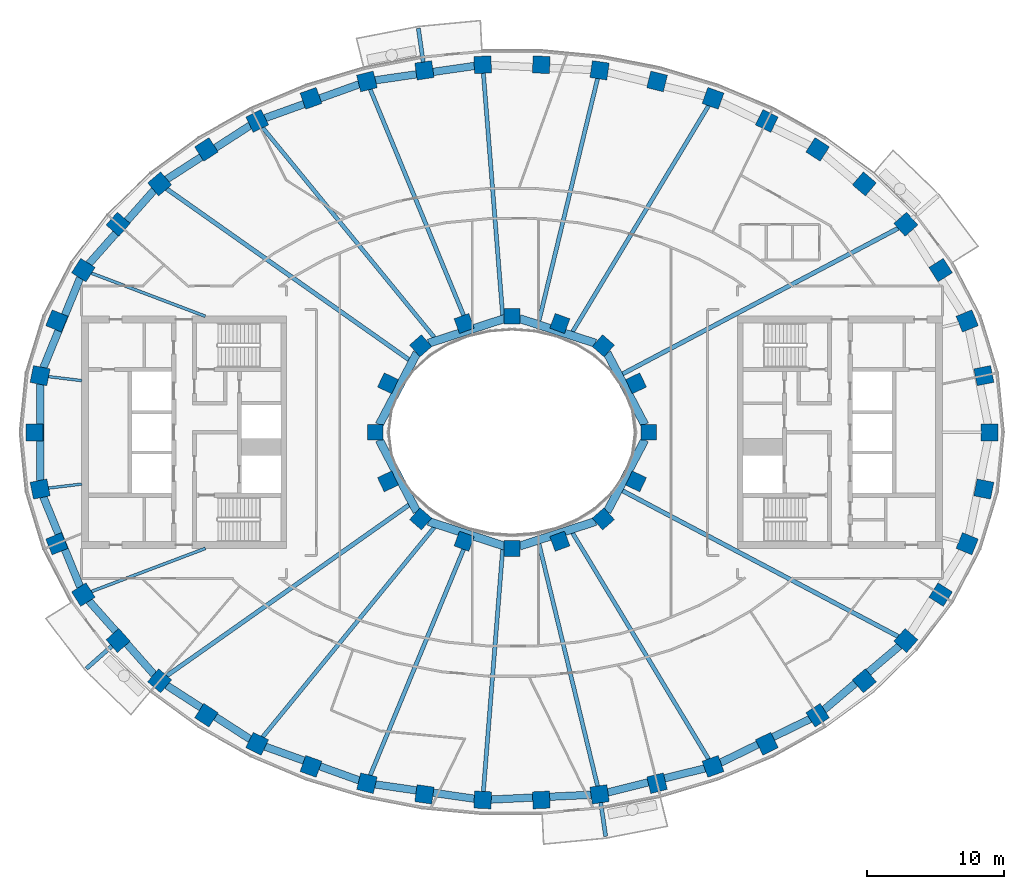
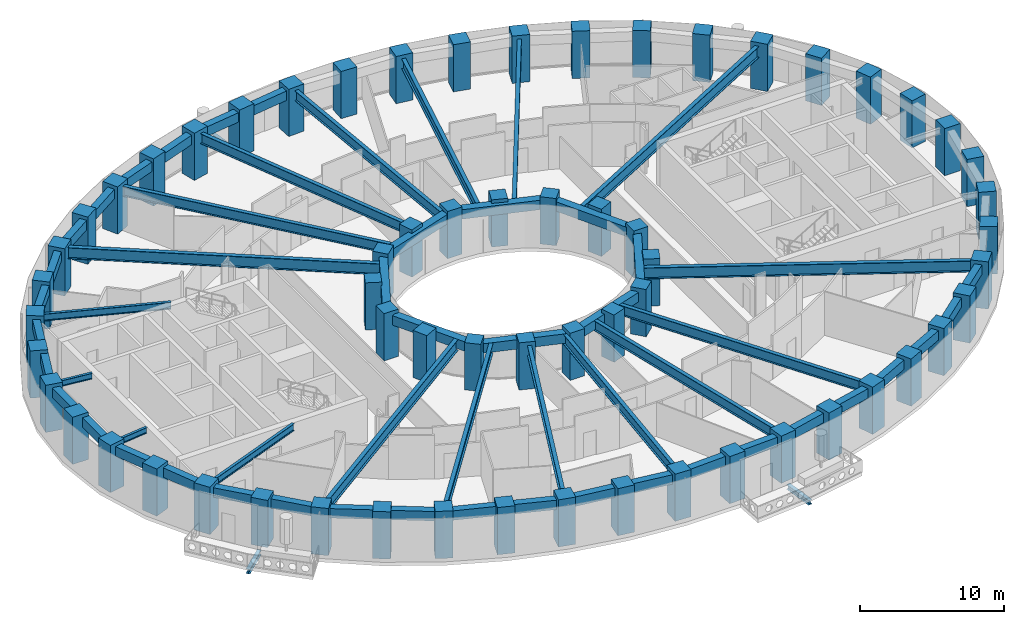
# One storey, part 1 of 17: 62 columns, 44 beams.
"""IFC4 building model written with IfcOpenShell, lengths in metres."""

import ifcopenshell
import ifcopenshell.guid

model = None  # the IFC model being written
_history = None  # IfcOwnerHistory: only IFC2X3 demands one
_inside = {}  # id of a spatial element -> (the spatial element, [elements in it])
_under = {}  # id of a project, library or spatial element -> (it, [spatial elements below it])
_declared = {}  # id of a project -> (the project, [libraries it declares])
_typed = {}  # id of a type object -> (the type object, [elements of that type])
_made_of = {}  # id of a material, layer set ... -> (it, [elements and type objects made of it])


def new_model(schema):
    """Start an empty IFC model of exactly this schema.

    Asked for "IFC4X3", IfcOpenShell would pick the latest addendum, in which some entities
    have other attributes; the version numbers below select the first issue.
    IFC2X3 requires an IfcOwnerHistory on every rooted entity: one is made here for all.
    """
    global model, _history
    if schema == "IFC4X3":
        model = ifcopenshell.file(schema_version=(4, 3, 0, 0))
    else:
        model = ifcopenshell.file(schema=schema)
    _inside.clear()
    _under.clear()
    _declared.clear()
    _typed.clear()
    _made_of.clear()
    _history = None
    if model.schema == "IFC2X3":
        org = make("IfcOrganization", Name="unknown")
        user = make(
            "IfcPersonAndOrganization",
            ThePerson=make("IfcPerson", FamilyName="unknown"),
            TheOrganization=org,
        )
        app = make(
            "IfcApplication",
            ApplicationDeveloper=org,
            Version="unknown",
            ApplicationFullName="unknown",
            ApplicationIdentifier="unknown",
        )
        _history = make(
            "IfcOwnerHistory",
            OwningUser=user,
            OwningApplication=app,
            ChangeAction="ADDED",
            CreationDate=0,
        )
    return model


def make(cls, **values):
    """One entity of the class cls with the attributes given. An attribute that is None is left unset."""
    return model.create_entity(
        cls, **{name: value for name, value in values.items() if value is not None}
    )


def rooted(cls, **values):
    """An entity with a GlobalId (a new one), such as an element, a storey or a relation."""
    return make(cls, GlobalId=ifcopenshell.guid.new(), OwnerHistory=_history, **values)


def si_unit(unit_type, name, prefix=None):
    """IfcSIUnit, for example si_unit("LENGTHUNIT", "METRE", prefix="MILLI")."""
    return make("IfcSIUnit", UnitType=unit_type, Prefix=prefix, Name=name)


def assignment(units):
    """IfcUnitAssignment: the units of a project."""
    return None if units is None else make("IfcUnitAssignment", Units=units)


def point(xyz):
    """IfcCartesianPoint."""
    return None if xyz is None else make("IfcCartesianPoint", Coordinates=xyz)


def direction(xyz):
    """IfcDirection."""
    return None if xyz is None else make("IfcDirection", DirectionRatios=xyz)


def frame(location, z_axis=None, x_axis=None):
    """IfcAxis2Placement3D, a coordinate frame: its origin and axes. An axis left out is left unset."""
    return make(
        "IfcAxis2Placement3D",
        Location=point(location),
        Axis=direction(z_axis),
        RefDirection=direction(x_axis),
    )


def frame_2d(location, x_axis=None):
    """IfcAxis2Placement2D, a coordinate frame in the plane: its origin and x axis."""
    return make(
        "IfcAxis2Placement2D", Location=point(location), RefDirection=direction(x_axis)
    )


def origin():
    """The frame at (0, 0, 0) with its axes left unset."""
    return frame((0.0, 0.0, 0.0))


def origin_2d():
    """The frame at (0, 0) in the plane with its x axis left unset."""
    return frame_2d((0.0, 0.0))


def place(relative_to, where):
    """IfcLocalPlacement: puts the frame where relative to a parent placement (None: the world)."""
    return make(
        "IfcLocalPlacement", PlacementRelTo=relative_to, RelativePlacement=where
    )


def context(
    kind, dimensions, precision=None, world=None, true_north=None, identifier=None
):
    """IfcGeometricRepresentationContext, for example the 3D "Model" context."""
    return make(
        "IfcGeometricRepresentationContext",
        ContextIdentifier=identifier,
        ContextType=kind,
        CoordinateSpaceDimension=dimensions,
        Precision=precision,
        WorldCoordinateSystem=world,
        TrueNorth=true_north,
    )


def subcontext(parent, identifier, kind, view, scale=None):
    """IfcGeometricRepresentationSubContext, for example "Body" below "Model"."""
    return make(
        "IfcGeometricRepresentationSubContext",
        ContextIdentifier=identifier,
        ContextType=kind,
        ParentContext=parent,
        TargetScale=scale,
        TargetView=view,
    )


def project(units=None, contexts=None):
    """IfcProject with its units and contexts."""
    return rooted(
        "IfcProject",
        Name="project",
        RepresentationContexts=contexts,
        UnitsInContext=assignment(units),
    )


def spatial(cls, under=None, at=None, **own):
    """A site, building, storey or space (cls), placed at a placement, below another one or the project."""
    s = rooted(cls, ObjectPlacement=at, **own)
    if under is not None:
        _under.setdefault(under.id(), (under, []))[1].append(s)
    return s


def profile(cls, at=None, kind="AREA", **sizes):
    """A parametric profile (cls). Its sizes go by their IFC names, for example OverallWidth=200.0."""
    return make(cls, ProfileType=kind, Position=at, **sizes)


def rectangle(**sizes):
    """IfcRectangleProfileDef."""
    return profile("IfcRectangleProfileDef", **sizes)


def i_section(**sizes):
    """IfcIShapeProfileDef."""
    return profile("IfcIShapeProfileDef", **sizes)


def extrude(swept, where, along, depth):
    """IfcExtrudedAreaSolid: the profile swept, set in the frame where, extruded along a direction by depth."""
    return make(
        "IfcExtrudedAreaSolid",
        SweptArea=swept,
        Position=where,
        ExtrudedDirection=direction(along),
        Depth=depth,
    )


def shape(context_of_items, identifier, shape_type, items):
    """IfcShapeRepresentation: the items that make up one representation, for example the "Body"."""
    return make(
        "IfcShapeRepresentation",
        ContextOfItems=context_of_items,
        RepresentationIdentifier=identifier,
        RepresentationType=shape_type,
        Items=items,
    )


def material(Name=None, Category=None):
    """IfcMaterial."""
    return make("IfcMaterial", Name=Name, Category=Category)


def material_profile(
    of_material, cross_section, Name=None, Category=None, Priority=None
):
    """IfcMaterialProfile: a cross section and its material."""
    return make(
        "IfcMaterialProfile",
        Name=Name,
        Material=of_material,
        Profile=cross_section,
        Priority=Priority,
        Category=Category,
    )


def profile_set(profiles, Name=None, composite=None):
    """IfcMaterialProfileSet."""
    return make(
        "IfcMaterialProfileSet",
        Name=Name,
        MaterialProfiles=profiles,
        CompositeProfile=composite,
    )


def made_of(thing, what):
    """Note that an element or type object is made of a material, layer set ...; save() writes the relation."""
    if what is not None:
        _made_of.setdefault(what.id(), (what, []))[1].append(thing)
    return thing


def type_object(cls, material=None, **own):
    """A type object (cls), such as IfcWallType, which elements share."""
    return made_of(rooted(cls, **own), material)


def element(
    cls,
    number,
    at=None,
    inside=None,
    cuts=None,
    type_object=None,
    material=None,
    context=None,
    identifier="Body",
    shape_type=None,
    held_by="IfcProductDefinitionShape",
    body=None,
    shapes=None,
    **own,
):
    """One element of the class cls, such as IfcWall. Its Tag is "e" and its number.

    at: its placement. inside: the storey or other place that contains it. cuts: it is an
    opening in that element (IfcRelVoidsElement). A single representation is given by context,
    identifier, shape_type and body (its items); several are given by shapes. held_by: the class
    of the entity that holds the representations. save() writes the other relations.
    """
    e = rooted(cls, Tag="e%d" % number, ObjectPlacement=at, **own)
    if body is not None:
        shapes = [shape(context, identifier, shape_type, body)]
    if shapes is not None:
        e.Representation = make(held_by, Representations=shapes)
    if inside is not None:
        _inside.setdefault(inside.id(), (inside, []))[1].append(e)
    if cuts is not None:
        rooted(
            "IfcRelVoidsElement", RelatingBuildingElement=cuts, RelatedOpeningElement=e
        )
    if type_object is not None:
        _typed.setdefault(type_object.id(), (type_object, []))[1].append(e)
    return made_of(e, material)


def aggregate(whole, parts):
    """IfcRelAggregates: a whole, such as a stair, and the parts it consists of."""
    return rooted("IfcRelAggregates", RelatingObject=whole, RelatedObjects=parts)


def save(model, path):
    """Write the relations noted so far, then the file.

    IfcRelAggregates (storeys below a building ...), IfcRelContainedInSpatialStructure (elements
    in a storey), IfcRelDefinesByType, IfcRelAssociatesMaterial and IfcRelDeclares: one each for
    every whole, place, type object, material and project.
    """
    for whole, parts in _under.values():
        aggregate(whole, parts)
    for where, things in _inside.values():
        rooted(
            "IfcRelContainedInSpatialStructure",
            RelatedElements=things,
            RelatingStructure=where,
        )
    for kind, things in _typed.values():
        rooted("IfcRelDefinesByType", RelatedObjects=things, RelatingType=kind)
    for what, things in _made_of.values():
        rooted("IfcRelAssociatesMaterial", RelatedObjects=things, RelatingMaterial=what)
    for by, libraries in _declared.values():
        rooted("IfcRelDeclares", RelatingContext=by, RelatedDefinitions=libraries)
    model.write(path)


model = new_model("IFC4")

# Units and contexts
model_context = context("Model", 3, precision=1e-05, world=origin(), true_north=direction((0.0, 1.0)))
body_context = subcontext(model_context, "Body", "Model", "MODEL_VIEW")
ifc_project = project(units=[si_unit("LENGTHUNIT", "METRE"), si_unit("AREAUNIT", "SQUARE_METRE"), si_unit("VOLUMEUNIT", "CUBIC_METRE"), si_unit("PLANEANGLEUNIT", "RADIAN"), si_unit("MASSUNIT", "GRAM", prefix="KILO")], contexts=[model_context])

# Site, building, storey
site_placement = place(None, origin())
site = spatial("IfcSite", under=ifc_project, at=site_placement, CompositionType="ELEMENT")
building_placement = place(site_placement, origin())
building = spatial("IfcBuilding", under=site, at=building_placement, Name="Noorbagh Ring Tower", CompositionType="ELEMENT")
storey_placement = place(building_placement, frame((0.0, 0.0, 120.0)))
storey = spatial("IfcBuildingStorey", under=building, at=storey_placement, Name="L27", CompositionType="ELEMENT", Elevation=120.0)

# Columns
ifc_material_1 = material(Name="Concrete C60/75", Category="concrete")
ifc_material_profile_1 = material_profile(ifc_material_1, rectangle(XDim=1.25, YDim=1.25, at=origin_2d()), Name="RC1250x1250")
ifc_profile_set_1 = profile_set([ifc_material_profile_1], Name="Concrete C60/75")
column_type_1 = type_object("IfcColumnType", Name="STR-COL-RC1250x1250-C60-75", PredefinedType="COLUMN", material=ifc_profile_set_1)
for number, where, z_axis, x_axis, name in (
    (1, (34.944580078125, 0.0, 0.0), (0.0, 0.0, 1.0), (0.0, 1.0, 0.0), "L27/col/R1-01"),
    (2, (34.52685546875, 4.150634765625, 0.0), (0.0, 0.0, 1.0), (-0.19723040178, 0.9803571638, 0.0), "L27/col/R1-02"),
    (3, (33.30517578125, 8.1494140625, 0.0), (0.0, 0.0, 1.0), (-0.378989499959, 0.925400971969, 0.0), "L27/col/R1-03"),
    (4, (31.364990234375, 11.87109375, 0.0), (0.0, 0.0, 1.0), (-0.535190403059, 0.844731455833, 0.0), "L27/col/R1-04"),
    (5, (28.81884765625, 15.23046875, 0.0), (0.0, 0.0, 1.0), (-0.662635642662, 0.748941923699, 0.0), "L27/col/R1-05"),
    (6, (25.78271484375, 18.180419921875, 0.0), (0.0, 0.0, 1.0), (-0.763035199656, 0.646356932419, 0.0), "L27/col/R1-06"),
    (7, (22.362060546875, 20.699951171875, 0.0), (0.0, 0.0, 1.0), (-0.840247639643, 0.542202825586, 0.0), "L27/col/R1-07"),
    (8, (18.646240234375, 22.785400390625, 0.0), (0.0, 0.0, 1.0), (-0.898399080868, 0.439180021741, 0.0), "L27/col/R1-08"),
    (9, (14.70947265625, 24.44091796875, 0.0), (0.0, 0.0, 1.0), (-0.941024726094, 0.338337797003, 0.0), "L27/col/R1-09"),
    (10, (10.61328125, 25.673583984375, 0.0), (0.0, 0.0, 1.0), (-0.970829360981, 0.239771457553, 0.0), "L27/col/R1-10"),
    (11, (6.4091796875, 26.49072265625, 0.0), (0.0, 0.0, 1.0), (-0.989713114048, 0.143066249975, 0.0), "L27/col/R1-11"),
    (12, (2.14306640625, 26.89794921875, 0.0), (0.0, 0.0, 1.0), (-0.998868731212, 0.047552684538, 0.0), "L27/col/R1-12"),
    (13, (-2.14306640625, 26.89794921875, 0.0), (0.0, 0.0, 1.0), (-0.998868731212, -0.047552684538, 0.0), "L27/col/R1-13"),
    (14, (-6.4091796875, 26.49072265625, 0.0), (0.0, 0.0, 1.0), (-0.989713114048, -0.143066249975, 0.0), "L27/col/R1-14"),
    (15, (-10.61328125, 25.673583984375, 0.0), (0.0, 0.0, 1.0), (-0.970829360981, -0.239771457553, 0.0), "L27/col/R1-15"),
    (16, (-14.70947265625, 24.44091796875, 0.0), (0.0, 0.0, 1.0), (-0.941024726094, -0.338337797003, 0.0), "L27/col/R1-16"),
    (17, (-18.646240234375, 22.785400390625, 0.0), (0.0, 0.0, 1.0), (-0.898399080868, -0.439180021741, 0.0), "L27/col/R1-17"),
    (18, (-22.362060546875, 20.699951171875, 0.0), (0.0, 0.0, 1.0), (-0.840247639643, -0.542202825586, 0.0), "L27/col/R1-18"),
    (19, (-25.78271484375, 18.180419921875, 0.0), (0.0, 0.0, 1.0), (-0.763035199656, -0.646356932419, 0.0), "L27/col/R1-19"),
    (20, (-28.81884765625, 15.23046875, 0.0), (0.0, 0.0, 1.0), (-0.662635642662, -0.748941923699, 0.0), "L27/col/R1-20"),
    (21, (-31.364990234375, 11.87109375, 0.0), (0.0, 0.0, 1.0), (-0.535190403059, -0.844731455833, 0.0), "L27/col/R1-21"),
    (22, (-33.30517578125, 8.1494140625, 0.0), (0.0, 0.0, 1.0), (-0.378989499959, -0.925400971969, 0.0), "L27/col/R1-22"),
    (23, (-34.52685546875, 4.150634765625, 0.0), (0.0, 0.0, 1.0), (-0.19723040178, -0.9803571638, 0.0), "L27/col/R1-23"),
    (24, (-34.944580078125, 0.0, 0.0), (0.0, 0.0, 1.0), (0.0, -1.0, 0.0), "L27/col/R1-24"),
    (25, (-34.52685546875, -4.150634765625, 0.0), (0.0, 0.0, 1.0), (0.19723040178, -0.9803571638, 0.0), "L27/col/R1-25"),
    (26, (-33.30517578125, -8.1494140625, 0.0), (0.0, 0.0, 1.0), (0.378989499959, -0.925400971969, 0.0), "L27/col/R1-26"),
    (27, (-31.364990234375, -11.87109375, 0.0), (0.0, 0.0, 1.0), (0.535190403059, -0.844731455833, 0.0), "L27/col/R1-27"),
    (28, (-28.81884765625, -15.23046875, 0.0), (0.0, 0.0, 1.0), (0.662635642662, -0.748941923699, 0.0), "L27/col/R1-28"),
    (29, (-25.78271484375, -18.180419921875, 0.0), (0.0, 0.0, 1.0), (0.763035199656, -0.646356932419, 0.0), "L27/col/R1-29"),
    (30, (-22.362060546875, -20.699951171875, 0.0), (0.0, 0.0, 1.0), (0.840247639643, -0.542202825586, 0.0), "L27/col/R1-30"),
    (31, (-18.646240234375, -22.785400390625, 0.0), (0.0, 0.0, 1.0), (0.898399080868, -0.439180021741, 0.0), "L27/col/R1-31"),
    (32, (-14.70947265625, -24.44091796875, 0.0), (0.0, 0.0, 1.0), (0.941024726094, -0.338337797003, 0.0), "L27/col/R1-32"),
    (33, (-10.61328125, -25.673583984375, 0.0), (0.0, 0.0, 1.0), (0.970829360981, -0.239771457553, 0.0), "L27/col/R1-33"),
    (34, (-6.4091796875, -26.49072265625, 0.0), (0.0, 0.0, 1.0), (0.989713114048, -0.143066249975, 0.0), "L27/col/R1-34"),
    (35, (-2.14306640625, -26.89794921875, 0.0), (0.0, 0.0, 1.0), (0.998868731212, -0.047552684538, 0.0), "L27/col/R1-35"),
    (36, (2.14306640625, -26.89794921875, 0.0), (0.0, 0.0, 1.0), (0.998868731212, 0.047552684538, 0.0), "L27/col/R1-36"),
    (37, (6.4091796875, -26.49072265625, 0.0), (0.0, 0.0, 1.0), (0.989713114048, 0.143066249975, 0.0), "L27/col/R1-37"),
    (38, (10.61328125, -25.673583984375, 0.0), (0.0, 0.0, 1.0), (0.970829360981, 0.239771457553, 0.0), "L27/col/R1-38"),
    (39, (14.70947265625, -24.44091796875, 0.0), (0.0, 0.0, 1.0), (0.941024726094, 0.338337797003, 0.0), "L27/col/R1-39"),
    (40, (18.646240234375, -22.785400390625, 0.0), (0.0, 0.0, 1.0), (0.898399080868, 0.439180021741, 0.0), "L27/col/R1-40"),
    (41, (22.362060546875, -20.699951171875, 0.0), (0.0, 0.0, 1.0), (0.840247639643, 0.542202825586, 0.0), "L27/col/R1-41"),
    (42, (25.78271484375, -18.180419921875, 0.0), (0.0, 0.0, 1.0), (0.763035199656, 0.646356932419, 0.0), "L27/col/R1-42"),
    (43, (28.81884765625, -15.23046875, 0.0), (0.0, 0.0, 1.0), (0.662635642662, 0.748941923699, 0.0), "L27/col/R1-43"),
    (44, (31.364990234375, -11.87109375, 0.0), (0.0, 0.0, 1.0), (0.535190403059, 0.844731455833, 0.0), "L27/col/R1-44"),
    (45, (33.30517578125, -8.1494140625, 0.0), (0.0, 0.0, 1.0), (0.378989499959, 0.925400971969, 0.0), "L27/col/R1-45"),
    (46, (34.52685546875, -4.150634765625, 0.0), (0.0, 0.0, 1.0), (0.19723040178, 0.9803571638, 0.0), "L27/col/R1-46"),
):
    element("IfcColumn", number, at=place(storey_placement, frame(where, z_axis=z_axis, x_axis=x_axis)), inside=storey, type_object=column_type_1, Name=name, PredefinedType="COLUMN", context=body_context, shape_type="SweptSolid", body=[
        extrude(rectangle(XDim=1.25, YDim=1.25, at=origin_2d()), origin(), (0.0, 0.0, 1.0), 4.0),
    ])
ifc_material_2 = material(Name="Concrete C60/75", Category="concrete")
ifc_material_profile_2 = material_profile(ifc_material_2, rectangle(XDim=1.14990234375, YDim=1.14990234375, at=origin_2d()), Name="RC1150x1150")
ifc_profile_set_2 = profile_set([ifc_material_profile_2], Name="Concrete C60/75")
column_type_2 = type_object("IfcColumnType", Name="STR-ICOL-RC1150x1150-C60-75", PredefinedType="COLUMN", material=ifc_profile_set_2)
for number, where, z_axis, x_axis, name in (
    (47, (10.00830078125, 0.0, 0.0), (0.0, 0.0, 1.0), (0.0, 1.0, 0.0), "L27/col/IR2-W01"),
    (48, (9.07568359375, 3.58837890625, 0.0), (0.0, 0.0, 1.0), (-0.428666979171, 0.903462573087, 0.0), "L27/col/IR2-W03"),
    (49, (6.68212890625, 6.333740234375, 0.0), (0.0, 0.0, 1.0), (-0.75102249095, 0.660276622399, 0.0), "L27/col/IR2-W05"),
    (50, (3.5009765625, 7.967041015625, 0.0), (0.0, 0.0, 1.0), (-0.939019578916, 0.343863679984, 0.0), "L27/col/IR2-W07"),
    (51, (0.0, 8.5029296875, 0.0), (0.0, 0.0, 1.0), (-1.0, 0.0, 0.0), "L27/col/IR2-W09"),
    (52, (-3.5009765625, 7.967041015625, 0.0), (0.0, 0.0, 1.0), (-0.939019578916, -0.343863679984, 0.0), "L27/col/IR2-W11"),
    (53, (-6.68212890625, 6.333740234375, 0.0), (0.0, 0.0, 1.0), (-0.75102249095, -0.660276622399, 0.0), "L27/col/IR2-W13"),
    (54, (-9.07568359375, 3.58837890625, 0.0), (0.0, 0.0, 1.0), (-0.428666979171, -0.903462573087, 0.0), "L27/col/IR2-W15"),
    (55, (-10.00830078125, 0.0, 0.0), (0.0, 0.0, 1.0), (0.0, -1.0, 0.0), "L27/col/IR2-W17"),
    (56, (-9.07568359375, -3.58837890625, 0.0), (0.0, 0.0, 1.0), (0.428666979171, -0.903462573087, 0.0), "L27/col/IR2-W19"),
    (57, (-6.68212890625, -6.333740234375, 0.0), (0.0, 0.0, 1.0), (0.75102249095, -0.660276622399, 0.0), "L27/col/IR2-W21"),
    (58, (-3.5009765625, -7.967041015625, 0.0), (0.0, 0.0, 1.0), (0.939019578916, -0.343863679984, 0.0), "L27/col/IR2-W23"),
    (59, (0.0, -8.5029296875, 0.0), (0.0, 0.0, 1.0), (1.0, 0.0, 0.0), "L27/col/IR2-W25"),
    (60, (3.5009765625, -7.967041015625, 0.0), (0.0, 0.0, 1.0), (0.939019578916, 0.343863679984, 0.0), "L27/col/IR2-W27"),
    (61, (6.68212890625, -6.333740234375, 0.0), (0.0, 0.0, 1.0), (0.75102249095, 0.660276622399, 0.0), "L27/col/IR2-W29"),
    (62, (9.07568359375, -3.58837890625, 0.0), (0.0, 0.0, 1.0), (0.428666979171, 0.903462573087, 0.0), "L27/col/IR2-W31"),
):
    element("IfcColumn", number, at=place(storey_placement, frame(where, z_axis=z_axis, x_axis=x_axis)), inside=storey, type_object=column_type_2, Name=name, PredefinedType="COLUMN", context=body_context, shape_type="SweptSolid", body=[
        extrude(rectangle(XDim=1.14990234375, YDim=1.14990234375, at=origin_2d()), origin(), (0.0, 0.0, 1.0), 4.0),
    ])

# Beams
ifc_material_3 = material(Name="Steel S355", Category="steel")
ifc_material_profile_3 = material_profile(ifc_material_3, i_section(OverallWidth=0.300048828125, OverallDepth=0.39990234375, WebThickness=0.013427734375, FlangeThickness=0.02392578125, FilletRadius=0.027099609375, at=origin_2d()), Name="HEB400")
ifc_profile_set_3 = profile_set([ifc_material_profile_3], Name="Steel S355")
beam_type_1 = type_object("IfcBeamType", Name="STR-BALCONY-BRACKET-HEB400", PredefinedType="BEAM", material=ifc_profile_set_3)
beam_1_placement = place(storey_placement, frame((-6.495849609375, 27.089599609375, -0.5), z_axis=(-0.143035199344, 0.98971760202, 0.0), x_axis=(-0.98971760202, -0.143035199344, 0.0)))
element("IfcBeam", 63, at=beam_1_placement, inside=storey, type_object=beam_type_1, Name="Balcony bracket beam BN04", PredefinedType="BEAM", context=body_context, shape_type="SweptSolid", body=[
    extrude(i_section(OverallWidth=0.300048828125, OverallDepth=0.39990234375, WebThickness=0.013427734375, FlangeThickness=0.02392578125, FilletRadius=0.027099609375, at=origin_2d()), origin(), (0.0, 0.0, 1.0), 2.498779296875),
])
beam_2_placement = place(storey_placement, frame((-29.27197265625, -15.63134765625, -0.5), z_axis=(-0.749063543205, -0.662498157161, 0.0), x_axis=(0.662498157161, -0.749063543205, 0.0)))
element("IfcBeam", 64, at=beam_2_placement, inside=storey, type_object=beam_type_1, Name="Balcony bracket beam BS01", PredefinedType="BEAM", context=body_context, shape_type="SweptSolid", body=[
    extrude(i_section(OverallWidth=0.300048828125, OverallDepth=0.39990234375, WebThickness=0.013427734375, FlangeThickness=0.02392578125, FilletRadius=0.027099609375, at=origin_2d()), origin(), (0.0, 0.0, 1.0), 2.50439453125),
])
beam_3_placement = place(storey_placement, frame((6.495849609375, -27.089599609375, -0.5), z_axis=(0.143035199344, -0.98971760202, 0.0), x_axis=(0.98971760202, 0.143035199344, 0.0)))
element("IfcBeam", 65, at=beam_3_placement, inside=storey, type_object=beam_type_1, Name="Balcony bracket beam BS04", PredefinedType="BEAM", context=body_context, shape_type="SweptSolid", body=[
    extrude(i_section(OverallWidth=0.300048828125, OverallDepth=0.39990234375, WebThickness=0.013427734375, FlangeThickness=0.02392578125, FilletRadius=0.027099609375, at=origin_2d()), origin(), (0.0, 0.0, 1.0), 2.498779296875),
])
ifc_material_4 = material(Name="Steel S355", Category="steel")
ifc_material_profile_4 = material_profile(ifc_material_4, i_section(OverallWidth=0.199951171875, OverallDepth=0.5, WebThickness=0.01025390625, FlangeThickness=0.01611328125, FilletRadius=0.02099609375, at=origin_2d()), Name="IPE500")
ifc_profile_set_4 = profile_set([ifc_material_profile_4], Name="Steel S355")
beam_type_2 = type_object("IfcBeamType", Name="STR-RAD-IPE500", PredefinedType="BEAM", material=ifc_profile_set_4)
for number, where, z_axis, x_axis, name in (
    (66, (-33.924072265625, 4.078125, 3.449951171875), (0.992855702759, -0.119321219822, 0.0), (0.119321219822, 0.992855702759, 0.0), "L27/bm/RD23"),
    (67, (-33.924072265625, -4.078125, 3.449951171875), (0.992855702759, 0.119321219822, 0.0), (-0.119321219822, 0.992855702759, 0.0), "L27/bm/RD25"),
):
    element("IfcBeam", number, at=place(storey_placement, frame(where, z_axis=z_axis, x_axis=x_axis)), inside=storey, type_object=beam_type_2, Name=name, PredefinedType="BEAM", context=body_context, shape_type="SweptSolid", body=[
        extrude(i_section(OverallWidth=0.199951171875, OverallDepth=0.5, WebThickness=0.01025390625, FlangeThickness=0.01611328125, FilletRadius=0.02099609375, at=origin_2d()), origin(), (0.0, 0.0, 1.0), 2.46142578125),
    ])
ifc_material_5 = material(Name="Steel S355", Category="steel")
ifc_material_profile_5 = material_profile(ifc_material_5, i_section(OverallWidth=0.219970703125, OverallDepth=0.60009765625, WebThickness=0.011962890625, FlangeThickness=0.01904296875, FilletRadius=0.02392578125, at=origin_2d()), Name="IPE600")
ifc_profile_set_5 = profile_set([ifc_material_profile_5], Name="Steel S355")
beam_type_3 = type_object("IfcBeamType", Name="STR-RAD-IPE600", PredefinedType="BEAM", material=ifc_profile_set_5)
for number, where, z_axis, x_axis, name in (
    (68, (-30.786865234375, 11.652099609375, 3.39990234375), (0.935256889456, -0.353969703117, 0.0), (0.353969703117, 0.935256889456, 0.0), "L27/bm/RD21"),
    (69, (-30.786865234375, -11.652099609375, 3.39990234375), (0.935256889456, 0.353969703117, 0.0), (-0.353969703117, 0.935256889456, 0.0), "L27/bm/RD27"),
):
    element("IfcBeam", number, at=place(storey_placement, frame(where, z_axis=z_axis, x_axis=x_axis)), inside=storey, type_object=beam_type_3, Name=name, PredefinedType="BEAM", context=body_context, shape_type="SweptSolid", body=[
        extrude(i_section(OverallWidth=0.219970703125, OverallDepth=0.60009765625, WebThickness=0.011962890625, FlangeThickness=0.01904296875, FilletRadius=0.02392578125, at=origin_2d()), origin(), (0.0, 0.0, 1.0), 8.925048828125),
    ])
ifc_material_6 = material(Name="Steel S355", Category="steel")
ifc_material_profile_6 = material_profile(ifc_material_6, i_section(OverallWidth=0.300048828125, OverallDepth=0.85009765625, WebThickness=0.013916015625, FlangeThickness=0.028076171875, at=origin_2d()), Name="PG850x300x14x28")
ifc_profile_set_6 = profile_set([ifc_material_profile_6], Name="Steel S355")
beam_type_4 = type_object("IfcBeamType", Name="STR-RAD-PG850x300x14x28", PredefinedType="BEAM", material=ifc_profile_set_6)
beam_4_placement = place(storey_placement, frame((14.39111328125, 23.912109375, 3.27490234375), z_axis=(-0.515649393851, -0.856799686403, 0.0), x_axis=(0.856799686403, -0.515649393851, 0.0)))
element("IfcBeam", 70, at=beam_4_placement, inside=storey, type_object=beam_type_4, Name="L27/bm/RD09", PredefinedType="BEAM", context=body_context, shape_type="SweptSolid", body=[
    extrude(i_section(OverallWidth=0.300048828125, OverallDepth=0.85009765625, WebThickness=0.013916015625, FlangeThickness=0.028076171875, at=origin_2d()), origin(), (0.0, 0.0, 1.0), 19.318603515625),
])
beam_5_placement = place(storey_placement, frame((6.266357421875, 25.900146484375, 3.27490234375), z_axis=(-0.235162116431, -0.971956161046, 0.0), x_axis=(0.971956161046, -0.235162116431, 0.0)))
element("IfcBeam", 71, at=beam_5_placement, inside=storey, type_object=beam_type_4, Name="L27/bm/RD11", PredefinedType="BEAM", context=body_context, shape_type="SweptSolid", body=[
    extrude(i_section(OverallWidth=0.300048828125, OverallDepth=0.85009765625, WebThickness=0.013916015625, FlangeThickness=0.028076171875, at=origin_2d()), origin(), (0.0, 0.0, 1.0), 18.25537109375),
])
beam_6_placement = place(storey_placement, frame((-2.09521484375, 26.294677734375, 3.27490234375), z_axis=(0.079430227558, -0.996840428027, 0.0), x_axis=(0.996840428027, 0.079430227558, 0.0)))
element("IfcBeam", 72, at=beam_6_placement, inside=storey, type_object=beam_type_4, Name="L27/bm/RD13", PredefinedType="BEAM", context=body_context, shape_type="SweptSolid", body=[
    extrude(i_section(OverallWidth=0.300048828125, OverallDepth=0.85009765625, WebThickness=0.013916015625, FlangeThickness=0.028076171875, at=origin_2d()), origin(), (0.0, 0.0, 1.0), 17.77490234375),
])
beam_7_placement = place(storey_placement, frame((-10.37939453125, 25.10791015625, 3.27490234375), z_axis=(0.382033251653, -0.924148578223, 0.0), x_axis=(0.924148578223, 0.382033251653, 0.0)))
element("IfcBeam", 73, at=beam_7_placement, inside=storey, type_object=beam_type_4, Name="L27/bm/RD15", PredefinedType="BEAM", context=body_context, shape_type="SweptSolid", body=[
    extrude(i_section(OverallWidth=0.300048828125, OverallDepth=0.85009765625, WebThickness=0.013916015625, FlangeThickness=0.028076171875, at=origin_2d()), origin(), (0.0, 0.0, 1.0), 18.775390625),
])
for number, where, z_axis, x_axis, name in (
    (74, (-18.252197265625, 22.303955078125, 3.27490234375), (0.633304807385, -0.773902462163, 0.0), (0.773902462163, 0.633304807385, 0.0), "L27/bm/RD17"),
    (75, (-18.252197265625, -22.303955078125, 3.27490234375), (0.633304807385, 0.773902462163, 0.0), (-0.773902462163, 0.633304807385, 0.0), "L27/bm/RD31"),
):
    element("IfcBeam", number, at=place(storey_placement, frame(where, z_axis=z_axis, x_axis=x_axis)), inside=storey, type_object=beam_type_4, Name=name, PredefinedType="BEAM", context=body_context, shape_type="SweptSolid", body=[
        extrude(i_section(OverallWidth=0.300048828125, OverallDepth=0.85009765625, WebThickness=0.013916015625, FlangeThickness=0.028076171875, at=origin_2d()), origin(), (0.0, 0.0, 1.0), 19.837158203125),
    ])
beam_8_placement = place(storey_placement, frame((-10.37939453125, -25.10791015625, 3.27490234375), z_axis=(0.382033251653, 0.924148578223, 0.0), x_axis=(-0.924148578223, 0.382033251653, 0.0)))
element("IfcBeam", 76, at=beam_8_placement, inside=storey, type_object=beam_type_4, Name="L27/bm/RD33", PredefinedType="BEAM", context=body_context, shape_type="SweptSolid", body=[
    extrude(i_section(OverallWidth=0.300048828125, OverallDepth=0.85009765625, WebThickness=0.013916015625, FlangeThickness=0.028076171875, at=origin_2d()), origin(), (0.0, 0.0, 1.0), 18.775390625),
])
beam_9_placement = place(storey_placement, frame((-2.09521484375, -26.294677734375, 3.27490234375), z_axis=(0.079430227558, 0.996840428027, 0.0), x_axis=(-0.996840428027, 0.079430227558, 0.0)))
element("IfcBeam", 77, at=beam_9_placement, inside=storey, type_object=beam_type_4, Name="L27/bm/RD35", PredefinedType="BEAM", context=body_context, shape_type="SweptSolid", body=[
    extrude(i_section(OverallWidth=0.300048828125, OverallDepth=0.85009765625, WebThickness=0.013916015625, FlangeThickness=0.028076171875, at=origin_2d()), origin(), (0.0, 0.0, 1.0), 17.77490234375),
])
beam_10_placement = place(storey_placement, frame((6.266357421875, -25.900146484375, 3.27490234375), z_axis=(-0.235162116431, 0.971956161046, 0.0), x_axis=(-0.971956161046, -0.235162116431, 0.0)))
element("IfcBeam", 78, at=beam_10_placement, inside=storey, type_object=beam_type_4, Name="L27/bm/RD37", PredefinedType="BEAM", context=body_context, shape_type="SweptSolid", body=[
    extrude(i_section(OverallWidth=0.300048828125, OverallDepth=0.85009765625, WebThickness=0.013916015625, FlangeThickness=0.028076171875, at=origin_2d()), origin(), (0.0, 0.0, 1.0), 18.25537109375),
])
beam_11_placement = place(storey_placement, frame((14.39111328125, -23.912109375, 3.27490234375), z_axis=(-0.515649393851, 0.856799686403, 0.0), x_axis=(-0.856799686403, -0.515649393851, 0.0)))
element("IfcBeam", 79, at=beam_11_placement, inside=storey, type_object=beam_type_4, Name="L27/bm/RD39", PredefinedType="BEAM", context=body_context, shape_type="SweptSolid", body=[
    extrude(i_section(OverallWidth=0.300048828125, OverallDepth=0.85009765625, WebThickness=0.013916015625, FlangeThickness=0.028076171875, at=origin_2d()), origin(), (0.0, 0.0, 1.0), 19.318603515625),
])
ifc_material_7 = material(Name="Steel S355", Category="steel")
ifc_material_profile_7 = material_profile(ifc_material_7, i_section(OverallWidth=0.320068359375, OverallDepth=0.949951171875, WebThickness=0.01611328125, FlangeThickness=0.030029296875, at=origin_2d()), Name="PG950x320x16x30")
ifc_profile_set_7 = profile_set([ifc_material_profile_7], Name="Steel S355")
beam_type_5 = type_object("IfcBeamType", Name="STR-RAD-PG950x320x16x30", PredefinedType="BEAM", material=ifc_profile_set_7)
beam_12_placement = place(storey_placement, frame((28.267822265625, 14.939453125, 3.22509765625), z_axis=(-0.884118542568, -0.467262669906, 0.0), x_axis=(0.467262669906, -0.884118542568, 0.0)))
element("IfcBeam", 80, at=beam_12_placement, inside=storey, type_object=beam_type_5, Name="L27/bm/RD05", PredefinedType="BEAM", context=body_context, shape_type="SweptSolid", body=[
    extrude(i_section(OverallWidth=0.320068359375, OverallDepth=0.949951171875, WebThickness=0.01611328125, FlangeThickness=0.030029296875, at=origin_2d()), origin(), (0.0, 0.0, 1.0), 22.831787109375),
])
for number, where, z_axis, x_axis, name in (
    (81, (-25.271484375, 17.81982421875, 3.22509765625), (0.817255824505, -0.57627503617, 0.0), (0.57627503617, 0.817255824505, 0.0), "L27/bm/RD19"),
    (82, (-25.271484375, -17.81982421875, 3.22509765625), (0.817255824505, 0.57627503617, 0.0), (-0.57627503617, 0.817255824505, 0.0), "L27/bm/RD29"),
):
    element("IfcBeam", number, at=place(storey_placement, frame(where, z_axis=z_axis, x_axis=x_axis)), inside=storey, type_object=beam_type_5, Name=name, PredefinedType="BEAM", context=body_context, shape_type="SweptSolid", body=[
        extrude(i_section(OverallWidth=0.320068359375, OverallDepth=0.949951171875, WebThickness=0.01611328125, FlangeThickness=0.030029296875, at=origin_2d()), origin(), (0.0, 0.0, 1.0), 21.702880859375),
    ])
beam_13_placement = place(storey_placement, frame((28.267822265625, -14.939453125, 3.22509765625), z_axis=(-0.884118542568, 0.467262669906, 0.0), x_axis=(-0.467262669906, -0.884118542568, 0.0)))
element("IfcBeam", 83, at=beam_13_placement, inside=storey, type_object=beam_type_5, Name="L27/bm/RD43", PredefinedType="BEAM", context=body_context, shape_type="SweptSolid", body=[
    extrude(i_section(OverallWidth=0.320068359375, OverallDepth=0.949951171875, WebThickness=0.01611328125, FlangeThickness=0.030029296875, at=origin_2d()), origin(), (0.0, 0.0, 1.0), 22.831787109375),
])
ifc_material_8 = material(Name="Concrete C40/50", Category="concrete")
ifc_material_profile_8 = material_profile(ifc_material_8, rectangle(XDim=0.60009765625, YDim=0.800048828125, at=origin_2d()), Name="RC600x800")
ifc_profile_set_8 = profile_set([ifc_material_profile_8], Name="Concrete C40/50")
beam_type_6 = type_object("IfcBeamType", Name="STR-RB-RC600x800-C40-50", PredefinedType="BEAM", material=ifc_profile_set_8)
beam_14_placement = place(storey_placement, frame((9.7158203125, 0.557373046875, 3.300048828125), z_axis=(-0.464946878947, 0.885338579165, 0.0), x_axis=(-0.885338579165, -0.464946878947, 0.0)))
element("IfcBeam", 84, at=beam_14_placement, inside=storey, type_object=beam_type_6, Name="L27/bm/RG01", PredefinedType="BEAM", context=body_context, shape_type="SweptSolid", body=[
    extrude(rectangle(XDim=0.60009765625, YDim=0.800048828125, at=origin_2d()), origin(), (0.0, 0.0, 1.0), 5.9287109375),
])
for number, where, z_axis, x_axis, name in (
    (85, (6.10546875, 6.52099609375, 3.300048828125), (-0.951151772647, 0.308723671576, 0.0), (-0.308723671576, -0.951151772647, 0.0), "L27/bm/RG03"),
    (86, (-0.555908203125, 8.322265625, 3.300048828125), (-0.951151772647, -0.308723671576, 0.0), (0.308723671576, -0.951151772647, 0.0), "L27/bm/RG05"),
):
    element("IfcBeam", number, at=place(storey_placement, frame(where, z_axis=z_axis, x_axis=x_axis)), inside=storey, type_object=beam_type_6, Name=name, PredefinedType="BEAM", context=body_context, shape_type="SweptSolid", body=[
        extrude(rectangle(XDim=0.60009765625, YDim=0.800048828125, at=origin_2d()), origin(), (0.0, 0.0, 1.0), 5.83447265625),
    ])
for number, where, z_axis, x_axis, name in (
    (87, (-6.959228515625, 5.806396484375, 3.300048828125), (-0.464946878947, -0.885338579165, 0.0), (0.885338579165, -0.464946878947, 0.0), "L27/bm/RG07"),
    (88, (-9.7158203125, -0.557373046875, 3.300048828125), (0.464946878947, -0.885338579165, 0.0), (0.885338579165, 0.464946878947, 0.0), "L27/bm/RG09"),
):
    element("IfcBeam", number, at=place(storey_placement, frame(where, z_axis=z_axis, x_axis=x_axis)), inside=storey, type_object=beam_type_6, Name=name, PredefinedType="BEAM", context=body_context, shape_type="SweptSolid", body=[
        extrude(rectangle(XDim=0.60009765625, YDim=0.800048828125, at=origin_2d()), origin(), (0.0, 0.0, 1.0), 5.9287109375),
    ])
for number, where, z_axis, x_axis, name in (
    (89, (-6.10546875, -6.52099609375, 3.300048828125), (0.951151772647, -0.308723671576, 0.0), (0.308723671576, 0.951151772647, 0.0), "L27/bm/RG11"),
    (90, (0.555908203125, -8.322265625, 3.300048828125), (0.951151772647, 0.308723671576, 0.0), (-0.308723671576, 0.951151772647, 0.0), "L27/bm/RG13"),
):
    element("IfcBeam", number, at=place(storey_placement, frame(where, z_axis=z_axis, x_axis=x_axis)), inside=storey, type_object=beam_type_6, Name=name, PredefinedType="BEAM", context=body_context, shape_type="SweptSolid", body=[
        extrude(rectangle(XDim=0.60009765625, YDim=0.800048828125, at=origin_2d()), origin(), (0.0, 0.0, 1.0), 5.83447265625),
    ])
beam_15_placement = place(storey_placement, frame((6.959228515625, -5.806396484375, 3.300048828125), z_axis=(0.464946878947, 0.885338579165, 0.0), x_axis=(-0.885338579165, 0.464946878947, 0.0)))
element("IfcBeam", 91, at=beam_15_placement, inside=storey, type_object=beam_type_6, Name="L27/bm/RG15", PredefinedType="BEAM", context=body_context, shape_type="SweptSolid", body=[
    extrude(rectangle(XDim=0.60009765625, YDim=0.800048828125, at=origin_2d()), origin(), (0.0, 0.0, 1.0), 5.9287109375),
])
ifc_material_9 = material(Name="Concrete C40/50", Category="concrete")
ifc_material_profile_9 = material_profile(ifc_material_9, rectangle(XDim=0.550048828125, YDim=0.800048828125, at=origin_2d()), Name="RC550x800")
ifc_profile_set_9 = profile_set([ifc_material_profile_9], Name="Concrete C40/50")
beam_type_7 = type_object("IfcBeamType", Name="STR-SB-RC550x800-C40-50", PredefinedType="BEAM", material=ifc_profile_set_9)
beam_16_placement = place(storey_placement, frame((-2.744873046875, 26.81103515625, 3.300048828125), z_axis=(-0.989710679794, -0.143083088804, 0.0), x_axis=(0.143083088804, -0.989710679794, 0.0)))
element("IfcBeam", 92, at=beam_16_placement, inside=storey, type_object=beam_type_7, Name="L27/bm/SP13", PredefinedType="BEAM", context=body_context, shape_type="SweptSolid", body=[
    extrude(rectangle(XDim=0.550048828125, YDim=0.800048828125, at=origin_2d()), origin(), (0.0, 0.0, 1.0), 7.342041015625),
])
beam_17_placement = place(storey_placement, frame((-11.185546875, 25.4677734375, 3.300048828125), z_axis=(-0.941032743566, -0.33831549704, 0.0), x_axis=(0.33831549704, -0.941032743566, 0.0)))
element("IfcBeam", 93, at=beam_17_placement, inside=storey, type_object=beam_type_7, Name="L27/bm/SP15", PredefinedType="BEAM", context=body_context, shape_type="SweptSolid", body=[
    extrude(rectangle(XDim=0.550048828125, YDim=0.800048828125, at=origin_2d()), origin(), (0.0, 0.0, 1.0), 7.319580078125),
])
beam_18_placement = place(storey_placement, frame((-19.158447265625, 22.455078125, 3.300048828125), z_axis=(-0.840240413794, -0.542214023267, 0.0), x_axis=(0.542214023267, -0.840240413794, 0.0)))
element("IfcBeam", 94, at=beam_18_placement, inside=storey, type_object=beam_type_7, Name="L27/bm/SP17", PredefinedType="BEAM", context=body_context, shape_type="SweptSolid", body=[
    extrude(rectangle(XDim=0.550048828125, YDim=0.800048828125, at=origin_2d()), origin(), (0.0, 0.0, 1.0), 7.273681640625),
])
beam_19_placement = place(storey_placement, frame((-26.18798828125, 17.722412109375, 3.300048828125), z_axis=(-0.662621438295, -0.748954490948, 0.0), x_axis=(0.748954490948, -0.662621438295, 0.0)))
element("IfcBeam", 95, at=beam_19_placement, inside=storey, type_object=beam_type_7, Name="L27/bm/SP19", PredefinedType="BEAM", context=body_context, shape_type="SweptSolid", body=[
    extrude(rectangle(XDim=0.550048828125, YDim=0.800048828125, at=origin_2d()), origin(), (0.0, 0.0, 1.0), 7.19970703125),
])
beam_20_placement = place(storey_placement, frame((-31.597900390625, 11.302001953125, 3.300048828125), z_axis=(-0.379013796153, -0.925391021313, 0.0), x_axis=(0.925391021313, -0.379013796153, 0.0)))
element("IfcBeam", 96, at=beam_20_placement, inside=storey, type_object=beam_type_7, Name="L27/bm/SP21", PredefinedType="BEAM", context=body_context, shape_type="SweptSolid", body=[
    extrude(rectangle(XDim=0.550048828125, YDim=0.800048828125, at=origin_2d()), origin(), (0.0, 0.0, 1.0), 7.111328125),
])
beam_21_placement = place(storey_placement, frame((-34.52685546875, 3.533203125, 3.300048828125), z_axis=(0.0, -1.0, 0.0), x_axis=(1.0, 0.0, 0.0)))
element("IfcBeam", 97, at=beam_21_placement, inside=storey, type_object=beam_type_7, Name="L27/bm/SP23", PredefinedType="BEAM", context=body_context, shape_type="SweptSolid", body=[
    extrude(rectangle(XDim=0.550048828125, YDim=0.800048828125, at=origin_2d()), origin(), (0.0, 0.0, 1.0), 7.06640625),
])
beam_22_placement = place(storey_placement, frame((-34.293212890625, -4.72119140625, 3.300048828125), z_axis=(0.379013796153, -0.925391021313, 0.0), x_axis=(0.925391021313, 0.379013796153, 0.0)))
element("IfcBeam", 98, at=beam_22_placement, inside=storey, type_object=beam_type_7, Name="L27/bm/SP25", PredefinedType="BEAM", context=body_context, shape_type="SweptSolid", body=[
    extrude(rectangle(XDim=0.550048828125, YDim=0.800048828125, at=origin_2d()), origin(), (0.0, 0.0, 1.0), 7.111328125),
])
beam_23_placement = place(storey_placement, frame((-30.958740234375, -12.330078125, 3.300048828125), z_axis=(0.662621438295, -0.748954490948, 0.0), x_axis=(0.748954490948, 0.662621438295, 0.0)))
element("IfcBeam", 99, at=beam_23_placement, inside=storey, type_object=beam_type_7, Name="L27/bm/SP27", PredefinedType="BEAM", context=body_context, shape_type="SweptSolid", body=[
    extrude(rectangle(XDim=0.550048828125, YDim=0.800048828125, at=origin_2d()), origin(), (0.0, 0.0, 1.0), 7.19970703125),
])
beam_24_placement = place(storey_placement, frame((-25.27001953125, -18.51123046875, 3.300048828125), z_axis=(0.840240413794, -0.542214023267, 0.0), x_axis=(0.542214023267, 0.840240413794, 0.0)))
element("IfcBeam", 100, at=beam_24_placement, inside=storey, type_object=beam_type_7, Name="L27/bm/SP29", PredefinedType="BEAM", context=body_context, shape_type="SweptSolid", body=[
    extrude(rectangle(XDim=0.550048828125, YDim=0.800048828125, at=origin_2d()), origin(), (0.0, 0.0, 1.0), 7.273681640625),
])
beam_25_placement = place(storey_placement, frame((-18.073486328125, -22.991455078125, 3.300048828125), z_axis=(0.941032743566, -0.33831549704, 0.0), x_axis=(0.33831549704, 0.941032743566, 0.0)))
element("IfcBeam", 101, at=beam_25_placement, inside=storey, type_object=beam_type_7, Name="L27/bm/SP31", PredefinedType="BEAM", context=body_context, shape_type="SweptSolid", body=[
    extrude(rectangle(XDim=0.550048828125, YDim=0.800048828125, at=origin_2d()), origin(), (0.0, 0.0, 1.0), 7.319580078125),
])
beam_26_placement = place(storey_placement, frame((-10.011474609375, -25.760498046875, 3.300048828125), z_axis=(0.989710679794, -0.143083088804, 0.0), x_axis=(0.143083088804, 0.989710679794, 0.0)))
element("IfcBeam", 102, at=beam_26_placement, inside=storey, type_object=beam_type_7, Name="L27/bm/SP33", PredefinedType="BEAM", context=body_context, shape_type="SweptSolid", body=[
    extrude(rectangle(XDim=0.550048828125, YDim=0.800048828125, at=origin_2d()), origin(), (0.0, 0.0, 1.0), 7.342041015625),
])
beam_27_placement = place(storey_placement, frame((-1.5361328125, -26.869140625, 3.300048828125), z_axis=(0.998868588799, 0.047555675902, 0.0), x_axis=(-0.047555675902, 0.998868588799, 0.0)))
element("IfcBeam", 103, at=beam_27_placement, inside=storey, type_object=beam_type_7, Name="L27/bm/SP35", PredefinedType="BEAM", context=body_context, shape_type="SweptSolid", body=[
    extrude(rectangle(XDim=0.550048828125, YDim=0.800048828125, at=origin_2d()), origin(), (0.0, 0.0, 1.0), 7.346435546875),
])
beam_28_placement = place(storey_placement, frame((6.99951171875, -26.344970703125, 3.300048828125), z_axis=(0.970829859213, 0.239769440213, 0.0), x_axis=(-0.239769440213, 0.970829859213, 0.0)))
element("IfcBeam", 104, at=beam_28_placement, inside=storey, type_object=beam_type_7, Name="L27/bm/SP37", PredefinedType="BEAM", context=body_context, shape_type="SweptSolid", body=[
    extrude(rectangle(XDim=0.550048828125, YDim=0.800048828125, at=origin_2d()), origin(), (0.0, 0.0, 1.0), 7.333251953125),
])
beam_29_placement = place(storey_placement, frame((15.25634765625, -24.173583984375, 3.300048828125), z_axis=(0.898391398986, 0.439195735667, 0.0), x_axis=(-0.439195735667, 0.898391398986, 0.0)))
element("IfcBeam", 105, at=beam_29_placement, inside=storey, type_object=beam_type_7, Name="L27/bm/SP39", PredefinedType="BEAM", context=body_context, shape_type="SweptSolid", body=[
    extrude(rectangle(XDim=0.550048828125, YDim=0.800048828125, at=origin_2d()), origin(), (0.0, 0.0, 1.0), 7.2998046875),
])
beam_30_placement = place(storey_placement, frame((22.82763671875, -20.305419921875, 3.300048828125), z_axis=(0.76304723731, 0.646342721498, 0.0), x_axis=(-0.646342721498, 0.76304723731, 0.0)))
element("IfcBeam", 106, at=beam_30_placement, inside=storey, type_object=beam_type_7, Name="L27/bm/SP41", PredefinedType="BEAM", context=body_context, shape_type="SweptSolid", body=[
    extrude(rectangle(XDim=0.550048828125, YDim=0.800048828125, at=origin_2d()), origin(), (0.0, 0.0, 1.0), 7.240234375),
])

save(model, "model.ifc")
